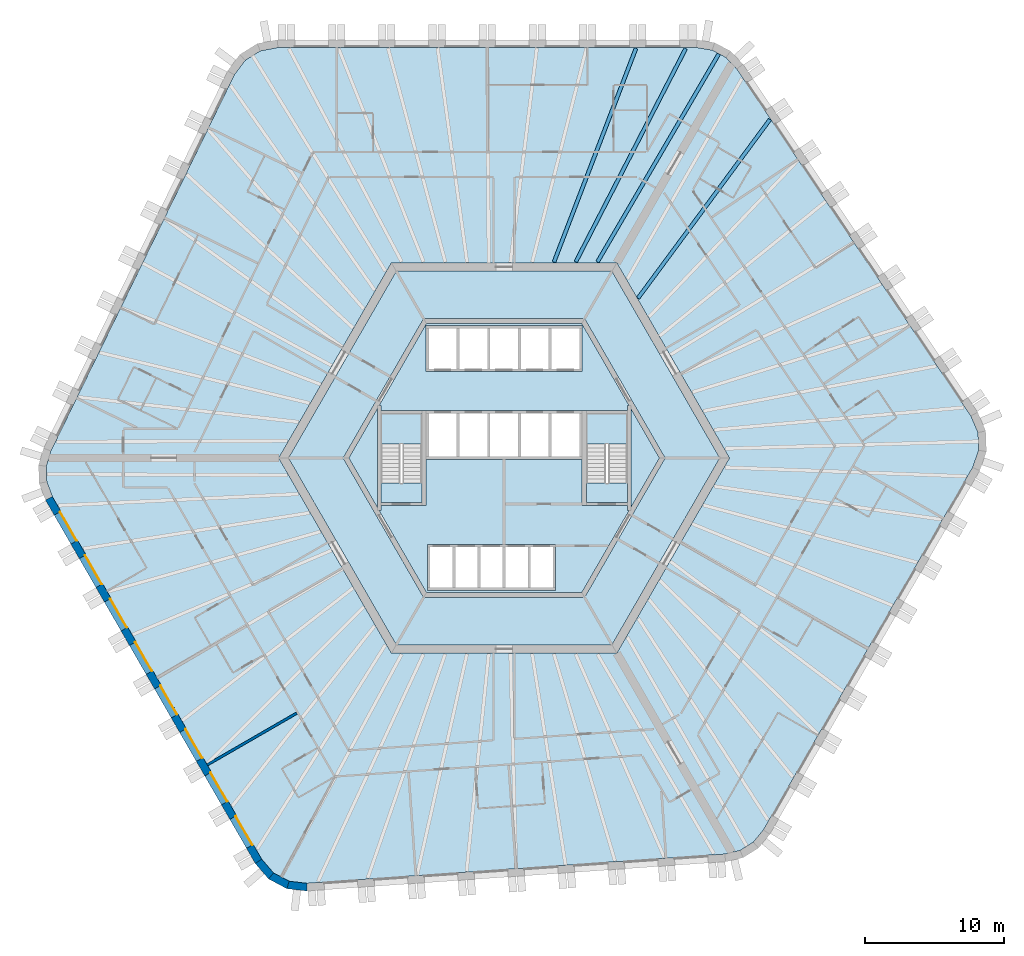
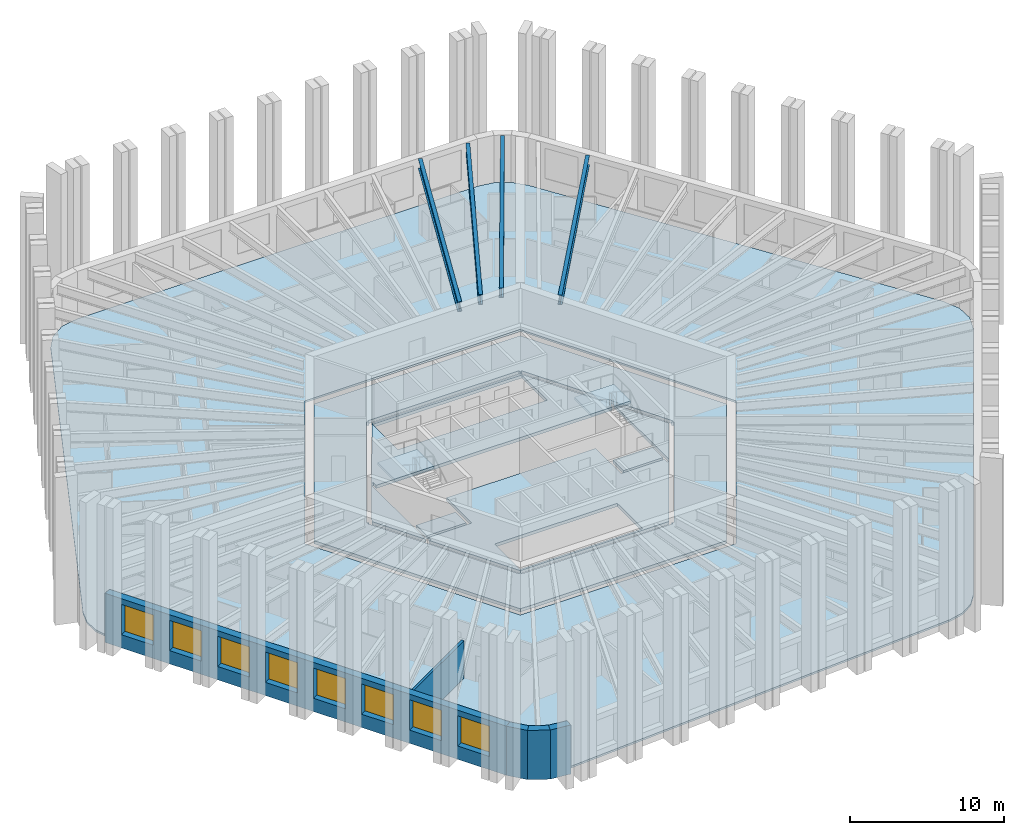
# One storey, part 2 of 13: 10 slabs, 8 windows, 5 walls, 4 beams, 8 openings, 2 elements without a shape of their own.
"""IFC4 building model written with IfcOpenShell, lengths in metres."""

from ifc_helpers import new_model, si_unit, direction, frame, frame_2d, origin, origin_2d, place, context, subcontext, project, spatial, polyline, rectangle, i_section, outline, extrude, material, layer, layer_set, material_profile, profile_set, type_object, element, fill, aggregate, save


model = new_model("IFC4")

# Units and contexts
model_context = context("Model", 3, precision=1e-05, world=origin(), true_north=direction((0.0, 1.0)))
body_context = subcontext(model_context, "Body", "Model", "MODEL_VIEW")
ifc_project = project(units=[si_unit("LENGTHUNIT", "METRE"), si_unit("AREAUNIT", "SQUARE_METRE"), si_unit("VOLUMEUNIT", "CUBIC_METRE"), si_unit("PLANEANGLEUNIT", "RADIAN"), si_unit("MASSUNIT", "GRAM", prefix="KILO")], contexts=[model_context])

# Site, building, storey
site_placement = place(None, origin())
site = spatial("IfcSite", under=ifc_project, at=site_placement, CompositionType="ELEMENT")
building_placement = place(site_placement, origin())
building = spatial("IfcBuilding", under=site, at=building_placement, Name="Tarnside Tower", CompositionType="ELEMENT")
storey_placement = place(building_placement, frame((0.0, 0.0, 68.699951171875)))
storey = spatial("IfcBuildingStorey", under=building, at=storey_placement, Name="L14", CompositionType="ELEMENT", Elevation=68.699951171875)

# Beams
ifc_material_1 = material(Name="Steel S355", Category="steel")
ifc_material_profile = material_profile(ifc_material_1, i_section(OverallWidth=0.2666015625, OverallDepth=0.76220703125, WebThickness=0.014404296875, FlangeThickness=0.021484375, FilletRadius=0.0166015625, at=origin_2d()), Name="UB 762x267x173")
ifc_profile_set = profile_set([ifc_material_profile], Name="Steel S355")
beam_type = type_object("IfcBeamType", Name="Floor beam UB 762x267x173", PredefinedType="BEAM", material=ifc_profile_set)
beam_1_placement = place(storey_placement, frame((13.0283203125, 29.37890625, 3.368896484375), z_axis=(-0.457973226459, -0.888965985765, 0.0), x_axis=(0.888965985765, -0.457973226459, 0.0)))
element("IfcBeam", 1, at=beam_1_placement, inside=storey, type_object=beam_type, Name="Floor beam F1.01", PredefinedType="BEAM", context=body_context, shape_type="SweptSolid", body=[
    extrude(i_section(OverallWidth=0.2666015625, OverallDepth=0.76220703125, WebThickness=0.014404296875, FlangeThickness=0.021484375, FilletRadius=0.0166015625, at=origin_2d()), origin(), (0.0, 0.0, 1.0), 17.219970703125),
])
beam_2_placement = place(storey_placement, frame((9.4619140625, 29.39404296875, 3.368896484375), z_axis=(-0.358299847269, -0.933606565662, 0.0), x_axis=(0.933606565662, -0.358299847269, 0.0)))
element("IfcBeam", 2, at=beam_2_placement, inside=storey, type_object=beam_type, Name="Floor beam F1.02", PredefinedType="BEAM", context=body_context, shape_type="SweptSolid", body=[
    extrude(i_section(OverallWidth=0.2666015625, OverallDepth=0.76220703125, WebThickness=0.014404296875, FlangeThickness=0.021484375, FilletRadius=0.0166015625, at=origin_2d()), origin(), (0.0, 0.0, 1.0), 16.428955078125),
])
beam_3_placement = place(storey_placement, frame((19.072021484375, 24.28857421875, 3.368896484375), z_axis=(-0.593986893499, -0.804474717037, 0.0), x_axis=(0.804474717037, -0.593986893499, 0.0)))
element("IfcBeam", 3, at=beam_3_placement, inside=storey, type_object=beam_type, Name="Floor beam F6.08", PredefinedType="BEAM", context=body_context, shape_type="SweptSolid", body=[
    extrude(i_section(OverallWidth=0.2666015625, OverallDepth=0.76220703125, WebThickness=0.014404296875, FlangeThickness=0.021484375, FilletRadius=0.0166015625, at=origin_2d()), origin(), (0.0, 0.0, 1.0), 15.934326171875),
])
beam_4_placement = place(storey_placement, frame((15.4013671875, 28.990478515625, 3.368896484375), z_axis=(-0.503858723096, -0.863786077198, 0.0), x_axis=(0.863786077198, -0.503858723096, 0.0)))
element("IfcBeam", 4, at=beam_4_placement, inside=storey, type_object=beam_type, Name="Floor beam C6", PredefinedType="BEAM", context=body_context, shape_type="SweptSolid", body=[
    extrude(i_section(OverallWidth=0.2666015625, OverallDepth=0.76220703125, WebThickness=0.014404296875, FlangeThickness=0.021484375, FilletRadius=0.0166015625, at=origin_2d()), origin(), (0.0, 0.0, 1.0), 17.2744140625),
])

# Slabs
ifc_material_2 = material(Name="Concrete C35/45", Category="concrete")
ifc_layer_1 = layer(ifc_material_2, 0.14990234375)
ifc_layer_set_1 = layer_set([ifc_layer_1], Name="Composite floor slab 150")
slab_type_1 = type_object("IfcSlabType", Name="Composite floor slab 150", PredefinedType="FLOOR", material=ifc_layer_set_1)
slab_1_placement = place(storey_placement, frame((0.0, 0.0, -0.14990234375)))
element("IfcSlab", 5, at=slab_1_placement, inside=storey, type_object=slab_type_1, Name="Floor slab L14", PredefinedType="FLOOR", context=body_context, shape_type="SweptSolid", body=[
    extrude(outline(polyline([(14.927490234375, 29.264892578125), (15.91455078125, 28.740234375), (16.697265625, 27.91064453125), (33.48583984375, 3.0205078125), (34.001220703125, 1.825439453125), (34.0458984375, 0.55078125), (33.614990234375, -0.67724609375), (18.603515625, -26.677978515625), (17.880615234375, -27.56005859375), (16.9326171875, -28.15234375), (15.82275390625, -28.41552734375), (-14.127197265625, -30.509765625), (-15.419921875, -30.358642578125), (-16.5458984375, -29.760009765625), (-17.39404296875, -28.772705078125), (-32.405517578125, -2.772216796875), (-32.80810546875, -1.704833984375), (-32.846923828125, -0.587890625), (-32.52001953125, 0.5048828125), (-19.358642578125, 27.4892578125), (-18.58154296875, 28.533203125), (-17.5, 29.208984375), (-16.220947265625, 29.449951171875), (13.802001953125, 29.449951171875), (14.927490234375, 29.264892578125)]), holes=[polyline([(-16.165771484375, 0.0), (-8.0830078125, -14.0), (8.0830078125, -14.0), (16.165771484375, 0.0), (8.0830078125, 14.0), (-8.0830078125, 14.0), (-16.165771484375, 0.0)])]), origin(), (0.0, 0.0, 1.0), 0.14990234375),
])
ifc_material_3 = material(Name="Concrete C40/50", Category="concrete")
ifc_layer_2 = layer(ifc_material_3, 0.25)
ifc_layer_set_2 = layer_set([ifc_layer_2], Name="Core slab C40/50")
slab_type_2 = type_object("IfcSlabType", Name="Core slab C40/50", PredefinedType="FLOOR", material=ifc_layer_set_2)
slab_2_placement = place(storey_placement, frame((0.0, 0.0, -0.25)))
element("IfcSlab", 6, at=slab_2_placement, inside=storey, type_object=slab_type_2, Name="L14 core floor slab 1", PredefinedType="FLOOR", context=body_context, shape_type="SweptSolid", body=[
    extrude(outline(polyline([(-15.472900390625, 0.0), (-7.736572265625, 13.39990234375), (7.736572265625, 13.39990234375), (15.472900390625, 0.0), (7.736572265625, -13.39990234375), (-7.736572265625, -13.39990234375), (-15.472900390625, 0.0)]), holes=[polyline([(5.823974609375, -9.91259765625), (11.49658203125, -0.08740234375), (11.344970703125, 0.0), (11.49658203125, 0.08740234375), (5.823974609375, 9.91259765625), (5.672607421875, 9.824951171875), (5.672607421875, 10.0), (-5.672607421875, 10.0), (-5.672607421875, 9.824951171875), (-5.823974609375, 9.91259765625), (-11.49658203125, 0.08740234375), (-11.344970703125, 0.0), (-11.49658203125, -0.08740234375), (-5.823974609375, -9.91259765625), (-5.672607421875, -9.824951171875), (-5.672607421875, -10.0), (5.672607421875, -10.0), (5.672607421875, -9.824951171875), (5.823974609375, -9.91259765625)])]), origin(), (0.0, 0.0, 1.0), 0.25),
])
slab_3_placement = place(storey_placement, frame((0.0, 0.0, -0.25)))
element("IfcSlab", 7, at=slab_3_placement, inside=storey, type_object=slab_type_2, Name="L14 core floor slab 2", PredefinedType="FLOOR", context=body_context, shape_type="SweptSolid", body=[
    extrude(outline(polyline([(-8.97509765625, 3.7548828125), (-5.5712890625, 9.64990234375), (5.5712890625, 9.64990234375), (8.97509765625, 3.7548828125), (8.85009765625, 3.7548828125), (8.85009765625, 3.39990234375), (5.89990234375, 3.39990234375), (5.60009765625, 3.39990234375), (5.60009765625, 3.39990234375), (-5.60009765625, 3.39990234375), (-5.89990234375, 3.39990234375), (-8.85009765625, 3.39990234375), (-8.85009765625, 3.7548828125), (-8.97509765625, 3.7548828125)]), holes=[polyline([(-5.60009765625, 6.199951171875), (5.60009765625, 6.199951171875), (5.60009765625, 6.39990234375), (5.60009765625, 9.300048828125), (5.60009765625, 9.5), (-5.60009765625, 9.5), (-5.60009765625, 9.300048828125), (-5.60009765625, 6.39990234375), (-5.60009765625, 6.199951171875)])]), origin(), (0.0, 0.0, 1.0), 0.25),
])
slab_4_placement = place(storey_placement, frame((0.0, 0.0, -0.25)))
element("IfcSlab", 8, at=slab_4_placement, inside=storey, type_object=slab_type_2, Name="L14 core floor slab 3", PredefinedType="FLOOR", context=body_context, shape_type="SweptSolid", body=[
    extrude(outline(polyline([(5.60009765625, -3.39990234375), (5.89990234375, -3.39990234375), (8.85009765625, -3.39990234375), (8.85009765625, -3.7548828125), (8.97509765625, -3.7548828125), (5.5712890625, -9.64990234375), (-5.5712890625, -9.64990234375), (-8.97509765625, -3.7548828125), (-8.85009765625, -3.7548828125), (-8.85009765625, -3.39990234375), (-5.89990234375, -3.39990234375), (-5.60009765625, -3.39990234375), (-5.60009765625, -0.10009765625), (5.60009765625, -0.10009765625), (5.60009765625, -3.39990234375)]), holes=[polyline([(-5.5, -9.300048828125), (-5.5, -9.5), (3.699951171875, -9.5), (3.699951171875, -9.300048828125), (3.699951171875, -6.39990234375), (3.699951171875, -6.199951171875), (-5.5, -6.199951171875), (-5.5, -6.39990234375), (-5.5, -9.300048828125)])]), origin(), (0.0, 0.0, 1.0), 0.25),
])
slab_5_placement = place(storey_placement, frame((0.0, 0.0, -0.25)))
element("IfcSlab", 9, at=slab_5_placement, inside=storey, type_object=slab_type_2, Name="L14 core floor slab 4", PredefinedType="FLOOR", context=body_context, shape_type="SweptSolid", body=[
    extrude(outline(polyline([(-11.142822265625, 0.0), (-9.10009765625, 3.538330078125), (-9.10009765625, -3.538330078125), (-11.142822265625, 0.0)])), origin(), (0.0, 0.0, 1.0), 0.25),
])
slab_6_placement = place(storey_placement, frame((0.0, 0.0, -0.25)))
element("IfcSlab", 10, at=slab_6_placement, inside=storey, type_object=slab_type_2, Name="L14 core floor slab 5", PredefinedType="FLOOR", context=body_context, shape_type="SweptSolid", body=[
    extrude(outline(polyline([(-8.85009765625, -1.800048828125), (-5.89990234375, -1.800048828125), (-5.89990234375, -3.199951171875), (-8.85009765625, -3.199951171875), (-8.85009765625, -1.800048828125)])), origin(), (0.0, 0.0, 1.0), 0.25),
])
slab_7_placement = place(storey_placement, frame((0.0, 0.0, -0.25)))
element("IfcSlab", 11, at=slab_7_placement, inside=storey, type_object=slab_type_2, Name="L14 core floor slab 6", PredefinedType="FLOOR", context=body_context, shape_type="SweptSolid", body=[
    extrude(outline(polyline([(5.89990234375, -3.199951171875), (5.89990234375, -1.800048828125), (8.85009765625, -1.800048828125), (8.85009765625, -3.199951171875), (5.89990234375, -3.199951171875)])), origin(), (0.0, 0.0, 1.0), 0.25),
])
slab_8_placement = place(storey_placement, frame((0.0, 0.0, -0.25)))
element("IfcSlab", 12, at=slab_8_placement, inside=storey, type_object=slab_type_2, Name="L14 core floor slab 7", PredefinedType="FLOOR", context=body_context, shape_type="SweptSolid", body=[
    extrude(outline(polyline([(9.10009765625, -3.538330078125), (9.10009765625, 3.538330078125), (11.142822265625, 0.0), (9.10009765625, -3.538330078125)])), origin(), (0.0, 0.0, 1.0), 0.25),
])

# Stair, slab
stair_type = type_object("IfcStairType", Name="Exit stair 1400 clear", PredefinedType="HALF_TURN_STAIR", material=ifc_material_3)
stair_1_placement = place(storey_placement, origin())
stair_1 = element("IfcStair", 13, at=stair_1_placement, inside=storey, type_object=stair_type, Name="L14 Exit stair 1", PredefinedType="HALF_TURN_STAIR")
ifc_layer_3 = layer(ifc_material_3, 0.199951171875)
ifc_layer_set_3 = layer_set([ifc_layer_3], Name="Stair landing 200 C40/50")
slab_type_3 = type_object("IfcSlabType", Name="Stair landing 200 C40/50", PredefinedType="LANDING", material=ifc_layer_set_3)
slab_9_placement = place(storey_placement, frame((0.0, 0.0, 1.75)))
slab_9 = element("IfcSlab", 14, at=slab_9_placement, type_object=slab_type_3, Name="ST1 landing 1", PredefinedType="LANDING", context=body_context, shape_type="SweptSolid", body=[
    extrude(outline(polyline([(8.85009765625, 1.0), (8.85009765625, 3.199951171875), (5.89990234375, 3.199951171875), (5.89990234375, 1.0), (8.85009765625, 1.0)])), origin(), (0.0, 0.0, 1.0), 0.199951171875),
])
aggregate(stair_1, [slab_9])

stair_2_placement = place(storey_placement, origin())
stair_2 = element("IfcStair", 15, at=stair_2_placement, inside=storey, type_object=stair_type, Name="L14 Exit stair 2", PredefinedType="HALF_TURN_STAIR")
slab_10_placement = place(storey_placement, frame((0.0, 0.0, 1.75)))
slab_10 = element("IfcSlab", 16, at=slab_10_placement, type_object=slab_type_3, Name="ST2 landing 1", PredefinedType="LANDING", context=body_context, shape_type="SweptSolid", body=[
    extrude(outline(polyline([(-5.89990234375, 1.0), (-5.89990234375, 3.199951171875), (-8.85009765625, 3.199951171875), (-8.85009765625, 1.0), (-5.89990234375, 1.0)])), origin(), (0.0, 0.0, 1.0), 0.199951171875),
])
aggregate(stair_2, [slab_10])

# Wall
ifc_material_4 = material(Name="Gypsum board partition on steel studs", Category="steel")
ifc_layer_4 = layer(ifc_material_4, 0.179931640625)
ifc_layer_set_4 = layer_set([ifc_layer_4], Name="Demising wall 180 EI 60")
wall_type_1 = type_object("IfcWallType", Name="Demising wall 180 EI 60", PredefinedType="PARTITIONING", material=ifc_layer_set_4)
wall_1_placement = place(storey_placement, frame((-21.298828125, -22.00927734375, 0.0), z_axis=(0.0, 0.0, 1.0), x_axis=(0.866014745021, 0.500018461065, 0.0)))
element("IfcWall", 17, at=wall_1_placement, inside=storey, type_object=wall_type_1, Name="Demising wall 04114", PredefinedType="PARTITIONING", context=body_context, shape_type="SweptSolid", body=[
    extrude(rectangle(XDim=7.425048828125, YDim=0.179931640625, at=frame_2d((3.71240234375, 0.0))), origin(), (0.0, 0.0, 1.0), 2.98779296875),
])

# Wall, openings, windows
ifc_material_5 = material(Name="Facing brick", Category="masonry")
ifc_layer_5 = layer(ifc_material_5, 0.10205078125)
ifc_material_6 = material(Name="Concrete C60/75 precast", Category="concrete")
ifc_layer_6 = layer(ifc_material_6, 0.347900390625)
ifc_material_7 = material(Name="Mineral wool insulation")
ifc_layer_7 = layer(ifc_material_7, 0.10009765625)
ifc_layer_set_5 = layer_set([ifc_layer_5, ifc_layer_6, ifc_layer_7], Name="Tube wall 550 brick faced")
wall_type_2 = type_object("IfcWallType", Name="Tube wall 550 brick faced", PredefinedType="SOLIDWALL", material=ifc_layer_set_5)
wall_2_placement = place(storey_placement, frame((-32.65478515625, -2.89013671875, -0.14990234375), z_axis=(0.0, 0.0, 1.0), x_axis=(0.499997711317, -0.866026725152, 0.0)))
wall_2 = element("IfcWall", 18, at=wall_2_placement, inside=storey, type_object=wall_type_2, Name="Tube wall L14 F3 flush 08", PredefinedType="SOLIDWALL", context=body_context, shape_type="SweptSolid", body=[
    extrude(outline(polyline([(-0.0224609375, -0.27490234375), (30.0966796875, -0.27490234375), (30.04541015625, 0.27490234375), (0.0224609375, 0.27490234375), (-0.0224609375, -0.27490234375)])), origin(), (0.0, 0.0, 1.0), 3.89990234375),
])
opening_1_placement = place(wall_2_placement, frame((1.235595703125, 0.0, 1.050048828125)))
opening_1 = element("IfcOpeningElement", 19, at=opening_1_placement, cuts=wall_2, Name="Opening WH", PredefinedType="OPENING", context=body_context, shape_type="SweptSolid", body=[
    extrude(rectangle(XDim=2.39990234375, YDim=2.39990234375, at=frame_2d((1.199951171875, 1.199951171875))), frame((0.0, 0.28515625, 0.0), z_axis=(0.0, -1.0, 0.0), x_axis=(1.0, 0.0, 0.0)), (0.0, 0.0, 1.0), 0.570068359375),
])
opening_2_placement = place(wall_2_placement, frame((4.83544921875, 0.0, 1.050048828125)))
opening_2 = element("IfcOpeningElement", 20, at=opening_2_placement, cuts=wall_2, Name="Opening WH", PredefinedType="OPENING", context=body_context, shape_type="SweptSolid", body=[
    extrude(rectangle(XDim=2.39990234375, YDim=2.39990234375, at=frame_2d((1.199951171875, 1.199951171875))), frame((0.0, 0.28515625, 0.0), z_axis=(0.0, -1.0, 0.0), x_axis=(1.0, 0.0, 0.0)), (0.0, 0.0, 1.0), 0.570068359375),
])
opening_3_placement = place(wall_2_placement, frame((8.435546875, 0.0, 1.050048828125)))
opening_3 = element("IfcOpeningElement", 21, at=opening_3_placement, cuts=wall_2, Name="Opening WH", PredefinedType="OPENING", context=body_context, shape_type="SweptSolid", body=[
    extrude(rectangle(XDim=2.39990234375, YDim=2.39990234375, at=frame_2d((1.199951171875, 1.199951171875))), frame((0.0, 0.28515625, 0.0), z_axis=(0.0, -1.0, 0.0), x_axis=(1.0, 0.0, 0.0)), (0.0, 0.0, 1.0), 0.570068359375),
])
opening_4_placement = place(wall_2_placement, frame((12.035400390625, 0.0, 1.050048828125)))
opening_4 = element("IfcOpeningElement", 22, at=opening_4_placement, cuts=wall_2, Name="Opening WH", PredefinedType="OPENING", context=body_context, shape_type="SweptSolid", body=[
    extrude(rectangle(XDim=2.39990234375, YDim=2.39990234375, at=frame_2d((1.199951171875, 1.199951171875))), frame((0.0, 0.28515625, 0.0), z_axis=(0.0, -1.0, 0.0), x_axis=(1.0, 0.0, 0.0)), (0.0, 0.0, 1.0), 0.570068359375),
])
opening_5_placement = place(wall_2_placement, frame((15.635498046875, 0.0, 1.050048828125)))
opening_5 = element("IfcOpeningElement", 23, at=opening_5_placement, cuts=wall_2, Name="Opening WH", PredefinedType="OPENING", context=body_context, shape_type="SweptSolid", body=[
    extrude(rectangle(XDim=2.39990234375, YDim=2.39990234375, at=frame_2d((1.199951171875, 1.199951171875))), frame((0.0, 0.28515625, 0.0), z_axis=(0.0, -1.0, 0.0), x_axis=(1.0, 0.0, 0.0)), (0.0, 0.0, 1.0), 0.570068359375),
])
opening_6_placement = place(wall_2_placement, frame((19.235595703125, 0.0, 1.050048828125)))
opening_6 = element("IfcOpeningElement", 24, at=opening_6_placement, cuts=wall_2, Name="Opening WH", PredefinedType="OPENING", context=body_context, shape_type="SweptSolid", body=[
    extrude(rectangle(XDim=2.39990234375, YDim=2.39990234375, at=frame_2d((1.199951171875, 1.199951171875))), frame((0.0, 0.28515625, 0.0), z_axis=(0.0, -1.0, 0.0), x_axis=(1.0, 0.0, 0.0)), (0.0, 0.0, 1.0), 0.570068359375),
])
opening_7_placement = place(wall_2_placement, frame((22.83544921875, 0.0, 1.050048828125)))
opening_7 = element("IfcOpeningElement", 25, at=opening_7_placement, cuts=wall_2, Name="Opening WH", PredefinedType="OPENING", context=body_context, shape_type="SweptSolid", body=[
    extrude(rectangle(XDim=2.39990234375, YDim=2.39990234375, at=frame_2d((1.199951171875, 1.199951171875))), frame((0.0, 0.28515625, 0.0), z_axis=(0.0, -1.0, 0.0), x_axis=(1.0, 0.0, 0.0)), (0.0, 0.0, 1.0), 0.570068359375),
])
opening_8_placement = place(wall_2_placement, frame((26.435546875, 0.0, 1.050048828125)))
opening_8 = element("IfcOpeningElement", 26, at=opening_8_placement, cuts=wall_2, Name="Opening WH", PredefinedType="OPENING", context=body_context, shape_type="SweptSolid", body=[
    extrude(rectangle(XDim=2.39990234375, YDim=2.39990234375, at=frame_2d((1.199951171875, 1.199951171875))), frame((0.0, 0.28515625, 0.0), z_axis=(0.0, -1.0, 0.0), x_axis=(1.0, 0.0, 0.0)), (0.0, 0.0, 1.0), 0.570068359375),
])
ifc_material_8 = material(Name="Aluminium-framed double glazing", Category="aluminium")
window_type = type_object("IfcWindowType", Name="Hotel window 2400 x 2400", PartitioningType="DOUBLE_PANEL_VERTICAL", PredefinedType="WINDOW", material=ifc_material_8)
window_1_placement = place(opening_1_placement, frame((0.0, 0.205078125, 0.0)))
window_1 = element("IfcWindow", 27, at=window_1_placement, inside=storey, type_object=window_type, Name="E.WN.L14.F3.00", OverallHeight=2.39990234375, OverallWidth=2.39990234375, PartitioningType="DOUBLE_PANEL_VERTICAL", PredefinedType="WINDOW", context=body_context, shape_type="SweptSolid", body=[
    extrude(rectangle(XDim=2.39990234375, YDim=2.39990234375, at=frame_2d((1.199951171875, 1.199951171875))), frame((0.0, 0.030029296875, 0.0), z_axis=(0.0, -1.0, 0.0), x_axis=(1.0, 0.0, 0.0)), (0.0, 0.0, 1.0), 0.06005859375),
])
fill(opening_1, window_1)
window_2_placement = place(opening_2_placement, frame((0.0, 0.205078125, 0.0)))
window_2 = element("IfcWindow", 28, at=window_2_placement, inside=storey, type_object=window_type, Name="E.WN.L14.F3.01", OverallHeight=2.39990234375, OverallWidth=2.39990234375, PartitioningType="DOUBLE_PANEL_VERTICAL", PredefinedType="WINDOW", context=body_context, shape_type="SweptSolid", body=[
    extrude(rectangle(XDim=2.39990234375, YDim=2.39990234375, at=frame_2d((1.199951171875, 1.199951171875))), frame((0.0, 0.030029296875, 0.0), z_axis=(0.0, -1.0, 0.0), x_axis=(1.0, 0.0, 0.0)), (0.0, 0.0, 1.0), 0.06005859375),
])
fill(opening_2, window_2)
window_3_placement = place(opening_3_placement, frame((0.0, 0.205078125, 0.0)))
window_3 = element("IfcWindow", 29, at=window_3_placement, inside=storey, type_object=window_type, Name="E.WN.L14.F3.02", OverallHeight=2.39990234375, OverallWidth=2.39990234375, PartitioningType="DOUBLE_PANEL_VERTICAL", PredefinedType="WINDOW", context=body_context, shape_type="SweptSolid", body=[
    extrude(rectangle(XDim=2.39990234375, YDim=2.39990234375, at=frame_2d((1.199951171875, 1.199951171875))), frame((0.0, 0.030029296875, 0.0), z_axis=(0.0, -1.0, 0.0), x_axis=(1.0, 0.0, 0.0)), (0.0, 0.0, 1.0), 0.06005859375),
])
fill(opening_3, window_3)
window_4_placement = place(opening_4_placement, frame((0.0, 0.205078125, 0.0)))
window_4 = element("IfcWindow", 30, at=window_4_placement, inside=storey, type_object=window_type, Name="E.WN.L14.F3.03", OverallHeight=2.39990234375, OverallWidth=2.39990234375, PartitioningType="DOUBLE_PANEL_VERTICAL", PredefinedType="WINDOW", context=body_context, shape_type="SweptSolid", body=[
    extrude(rectangle(XDim=2.39990234375, YDim=2.39990234375, at=frame_2d((1.199951171875, 1.199951171875))), frame((0.0, 0.030029296875, 0.0), z_axis=(0.0, -1.0, 0.0), x_axis=(1.0, 0.0, 0.0)), (0.0, 0.0, 1.0), 0.06005859375),
])
fill(opening_4, window_4)
window_5_placement = place(opening_5_placement, frame((0.0, 0.205078125, 0.0)))
window_5 = element("IfcWindow", 31, at=window_5_placement, inside=storey, type_object=window_type, Name="E.WN.L14.F3.04", OverallHeight=2.39990234375, OverallWidth=2.39990234375, PartitioningType="DOUBLE_PANEL_VERTICAL", PredefinedType="WINDOW", context=body_context, shape_type="SweptSolid", body=[
    extrude(rectangle(XDim=2.39990234375, YDim=2.39990234375, at=frame_2d((1.199951171875, 1.199951171875))), frame((0.0, 0.030029296875, 0.0), z_axis=(0.0, -1.0, 0.0), x_axis=(1.0, 0.0, 0.0)), (0.0, 0.0, 1.0), 0.06005859375),
])
fill(opening_5, window_5)
window_6_placement = place(opening_6_placement, frame((0.0, 0.205078125, 0.0)))
window_6 = element("IfcWindow", 32, at=window_6_placement, inside=storey, type_object=window_type, Name="E.WN.L14.F3.05", OverallHeight=2.39990234375, OverallWidth=2.39990234375, PartitioningType="DOUBLE_PANEL_VERTICAL", PredefinedType="WINDOW", context=body_context, shape_type="SweptSolid", body=[
    extrude(rectangle(XDim=2.39990234375, YDim=2.39990234375, at=frame_2d((1.199951171875, 1.199951171875))), frame((0.0, 0.030029296875, 0.0), z_axis=(0.0, -1.0, 0.0), x_axis=(1.0, 0.0, 0.0)), (0.0, 0.0, 1.0), 0.06005859375),
])
fill(opening_6, window_6)
window_7_placement = place(opening_7_placement, frame((0.0, 0.205078125, 0.0)))
window_7 = element("IfcWindow", 33, at=window_7_placement, inside=storey, type_object=window_type, Name="E.WN.L14.F3.06", OverallHeight=2.39990234375, OverallWidth=2.39990234375, PartitioningType="DOUBLE_PANEL_VERTICAL", PredefinedType="WINDOW", context=body_context, shape_type="SweptSolid", body=[
    extrude(rectangle(XDim=2.39990234375, YDim=2.39990234375, at=frame_2d((1.199951171875, 1.199951171875))), frame((0.0, 0.030029296875, 0.0), z_axis=(0.0, -1.0, 0.0), x_axis=(1.0, 0.0, 0.0)), (0.0, 0.0, 1.0), 0.06005859375),
])
fill(opening_7, window_7)
window_8_placement = place(opening_8_placement, frame((0.0, 0.205078125, 0.0)))
window_8 = element("IfcWindow", 34, at=window_8_placement, inside=storey, type_object=window_type, Name="E.WN.L14.F3.07", OverallHeight=2.39990234375, OverallWidth=2.39990234375, PartitioningType="DOUBLE_PANEL_VERTICAL", PredefinedType="WINDOW", context=body_context, shape_type="SweptSolid", body=[
    extrude(rectangle(XDim=2.39990234375, YDim=2.39990234375, at=frame_2d((1.199951171875, 1.199951171875))), frame((0.0, 0.030029296875, 0.0), z_axis=(0.0, -1.0, 0.0), x_axis=(1.0, 0.0, 0.0)), (0.0, 0.0, 1.0), 0.06005859375),
])
fill(opening_8, window_8)

# Walls
wall_3_placement = place(storey_placement, frame((-17.619384765625, -28.932373046875, -0.14990234375), z_axis=(0.0, 0.0, 1.0), x_axis=(0.651621950847, -0.758543890078, 0.0)))
element("IfcWall", 35, at=wall_3_placement, inside=storey, type_object=wall_type_2, Name="Tube wall L14 F3 chord 09", PredefinedType="SOLIDWALL", context=body_context, shape_type="SweptSolid", body=[
    extrude(outline(polyline([(-0.025634765625, -0.27490234375), (1.430908203125, -0.27490234375), (1.327392578125, 0.27490234375), (0.025634765625, 0.27490234375), (-0.025634765625, -0.27490234375)])), origin(), (0.0, 0.0, 1.0), 3.89990234375),
])
wall_4_placement = place(storey_placement, frame((-16.720703125, -29.978515625, -0.14990234375), z_axis=(0.0, 0.0, 1.0), x_axis=(0.882994189209, -0.469383917304, 0.0)))
element("IfcWall", 36, at=wall_4_placement, inside=storey, type_object=wall_type_2, Name="Tube wall L14 F3 chord 10", PredefinedType="SOLIDWALL", context=body_context, shape_type="SweptSolid", body=[
    extrude(outline(polyline([(-0.0517578125, -0.27490234375), (1.4306640625, -0.27490234375), (1.3271484375, 0.27490234375), (0.0517578125, 0.27490234375), (-0.0517578125, -0.27490234375)])), origin(), (0.0, 0.0, 1.0), 3.89990234375),
])
wall_5_placement = place(storey_placement, frame((-15.503173828125, -30.625732421875, -0.14990234375), z_axis=(0.0, 0.0, 1.0), x_axis=(0.993232537394, -0.11614269956, 0.0)))
element("IfcWall", 37, at=wall_5_placement, inside=storey, type_object=wall_type_2, Name="Tube wall L14 F3 chord 11", PredefinedType="SOLIDWALL", context=body_context, shape_type="SweptSolid", body=[
    extrude(outline(polyline([(-0.0517578125, -0.27490234375), (1.404541015625, -0.27490234375), (1.353271484375, 0.27490234375), (0.0517578125, 0.27490234375), (-0.0517578125, -0.27490234375)])), origin(), (0.0, 0.0, 1.0), 3.89990234375),
])

save(model, "model.ifc")
